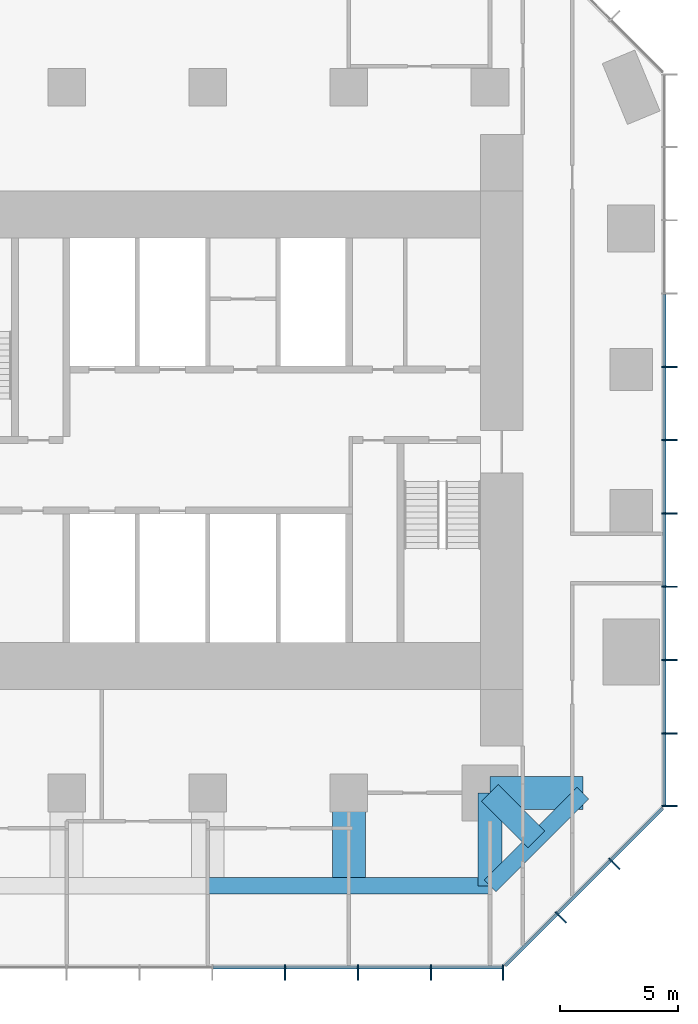
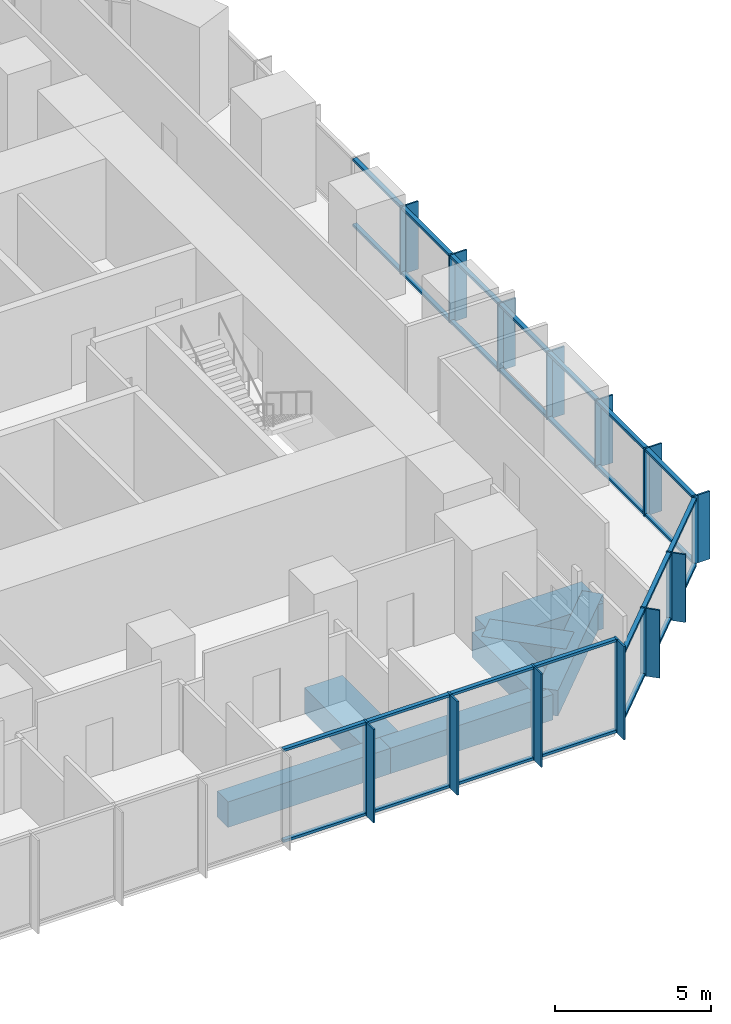
# One storey, part 4 of 13: 54 members, 7 beams, 3 elements without a shape of their own.
"""IFC4 building model written with IfcOpenShell, lengths in metres."""

from ifc_helpers import new_model, si_unit, direction, frame, origin, origin_2d, place, context, subcontext, project, spatial, rectangle, extrude, material, layer, layer_set, material_profile, profile_set, type_object, element, aggregate, save


model = new_model("IFC4")

# Units and contexts
model_context = context("Model", 3, precision=1e-05, world=origin(), true_north=direction((0.0, 1.0)))
body_context = subcontext(model_context, "Body", "Model", "MODEL_VIEW")
ifc_project = project(units=[si_unit("LENGTHUNIT", "METRE"), si_unit("AREAUNIT", "SQUARE_METRE"), si_unit("VOLUMEUNIT", "CUBIC_METRE"), si_unit("PLANEANGLEUNIT", "RADIAN"), si_unit("MASSUNIT", "GRAM", prefix="KILO")], contexts=[model_context])

# Site, building, storey
site_placement = place(None, origin())
site = spatial("IfcSite", under=ifc_project, at=site_placement, CompositionType="ELEMENT")
building_placement = place(site_placement, origin())
building = spatial("IfcBuilding", under=site, at=building_placement, Name="Highveld Stack Headquarters", CompositionType="ELEMENT")
storey_placement = place(building_placement, frame((0.0, 0.0, 136.699951171875)))
storey = spatial("IfcBuildingStorey", under=building, at=storey_placement, Name="L33", CompositionType="ELEMENT", Elevation=136.699951171875)

# Beams
ifc_material_1 = material(Name="Concrete C60/75", Category="concrete")
ifc_material_profile_1 = material_profile(ifc_material_1, rectangle(XDim=1.0, YDim=1.0, at=origin_2d()), Name="RC 1000x1000")
ifc_profile_set_1 = profile_set([ifc_material_profile_1], Name="Concrete C60/75")
beam_type_1 = type_object("IfcBeamType", Name="CANTILEVER RIB RC 1000x1000", PredefinedType="USERDEFINED", material=ifc_profile_set_1)
beam_1_placement = place(storey_placement, frame((18.0, -12.0, -0.75), z_axis=(0.0, -1.0, 0.0), x_axis=(1.0, 0.0, 0.0)))
element("IfcBeam", 1, at=beam_1_placement, inside=storey, type_object=beam_type_1, Name="Cantilever rib 9/C L33", ObjectType="CANTILEVER RIB", PredefinedType="USERDEFINED", context=body_context, shape_type="SweptSolid", body=[
    extrude(rectangle(XDim=1.0, YDim=1.0, at=origin_2d()), origin(), (0.0, 0.0, 1.0), 3.949951171875),
])
beam_2_placement = place(storey_placement, frame((18.0, -12.0, -0.75), z_axis=(0.707106781187, -0.707106781187, 0.0), x_axis=(0.707106781187, 0.707106781187, 0.0)))
element("IfcBeam", 2, at=beam_2_placement, inside=storey, type_object=beam_type_1, Name="Cantilever rib 9/C L33", ObjectType="CANTILEVER RIB", PredefinedType="USERDEFINED", context=body_context, shape_type="SweptSolid", body=[
    extrude(rectangle(XDim=1.0, YDim=1.0, at=origin_2d()), origin(), (0.0, 0.0, 1.0), 2.793212890625),
])
ifc_material_2 = material(Name="Concrete C60/75", Category="concrete")
ifc_material_profile_2 = material_profile(ifc_material_2, rectangle(XDim=1.39990234375, YDim=1.0, at=origin_2d()), Name="RC 1400x1000")
ifc_profile_set_2 = profile_set([ifc_material_profile_2], Name="Concrete C60/75")
beam_type_2 = type_object("IfcBeamType", Name="CANTILEVER RIB RC 1400x1000", PredefinedType="USERDEFINED", material=ifc_profile_set_2)
for number, where, z_axis, x_axis, name in (
    (3, (12.0, -12.0, -0.75), (0.0, -1.0, 0.0), (1.0, 0.0, 0.0), "Cantilever rib 8/C L33"),
    (4, (18.0, -12.0, -0.75), (1.0, 0.0, 0.0), (0.0, 1.0, 0.0), "Cantilever rib 9/C L33"),
):
    element("IfcBeam", number, at=place(storey_placement, frame(where, z_axis=z_axis, x_axis=x_axis)), inside=storey, type_object=beam_type_2, Name=name, ObjectType="CANTILEVER RIB", PredefinedType="USERDEFINED", context=body_context, shape_type="SweptSolid", body=[
        extrude(rectangle(XDim=1.39990234375, YDim=1.0, at=origin_2d()), origin(), (0.0, 0.0, 1.0), 3.949951171875),
    ])

# Curtain wall, members
ifc_material_3 = material(Name="Aluminium bronze anodised", Category="aluminium")
ifc_layer_1 = layer(ifc_material_3, 0.199951171875)
ifc_layer_set_1 = layer_set([ifc_layer_1], Name="Aluminium bronze anodised")
curtain_wall_type_1 = type_object("IfcCurtainWallType", Name="CW1 TOWER UNITISED CURTAIN WALL", PredefinedType="NOTDEFINED", material=ifc_layer_set_1)
curtain_wall_1_placement = place(storey_placement, origin())
curtain_wall_1 = element("IfcCurtainWall", 5, at=curtain_wall_1_placement, inside=storey, type_object=curtain_wall_type_1, Name="Curtain wall CW1 L33 S", PredefinedType="NOTDEFINED")
ifc_material_4 = material(Name="Aluminium bronze anodised", Category="aluminium")
ifc_material_profile_3 = material_profile(ifc_material_4, rectangle(XDim=0.449951171875, YDim=0.06005859375, at=origin_2d()), Name="FIN 450x60")
ifc_profile_set_3 = profile_set([ifc_material_profile_3], Name="Aluminium bronze anodised")
member_type_1 = type_object("IfcMemberType", Name="CW1 BRONZE FIN 450x60", PredefinedType="USERDEFINED", material=ifc_profile_set_3)
member_1_placement = place(storey_placement, frame((9.2900390625, -19.72509765625, 0.0), z_axis=(0.0, 0.0, 1.0), x_axis=(0.0, 1.0, 0.0)))
member_1 = element("IfcMember", 6, at=member_1_placement, type_object=member_type_1, Name="CW1 fin L33 10", ObjectType="FIN", PredefinedType="USERDEFINED", context=body_context, shape_type="SweptSolid", body=[
    extrude(rectangle(XDim=0.449951171875, YDim=0.06005859375, at=origin_2d()), origin(), (0.0, 0.0, 1.0), 3.650146484375),
])
member_2_placement = place(storey_placement, frame((12.38671875, -19.72509765625, 0.0), z_axis=(0.0, 0.0, 1.0), x_axis=(0.0, 1.0, 0.0)))
member_2 = element("IfcMember", 7, at=member_2_placement, type_object=member_type_1, Name="CW1 fin L33 11", ObjectType="FIN", PredefinedType="USERDEFINED", context=body_context, shape_type="SweptSolid", body=[
    extrude(rectangle(XDim=0.449951171875, YDim=0.06005859375, at=origin_2d()), origin(), (0.0, 0.0, 1.0), 3.650146484375),
])
member_3_placement = place(storey_placement, frame((15.4833984375, -19.72509765625, 0.0), z_axis=(0.0, 0.0, 1.0), x_axis=(0.0, 1.0, 0.0)))
member_3 = element("IfcMember", 8, at=member_3_placement, type_object=member_type_1, Name="CW1 fin L33 12", ObjectType="FIN", PredefinedType="USERDEFINED", context=body_context, shape_type="SweptSolid", body=[
    extrude(rectangle(XDim=0.449951171875, YDim=0.06005859375, at=origin_2d()), origin(), (0.0, 0.0, 1.0), 3.650146484375),
])
member_4_placement = place(storey_placement, frame((18.54736328125, -19.72509765625, 0.0), z_axis=(0.0, 0.0, 1.0), x_axis=(0.0, 1.0, 0.0)))
member_4 = element("IfcMember", 9, at=member_4_placement, type_object=member_type_1, Name="CW1 fin L33 13", ObjectType="FIN", PredefinedType="USERDEFINED", context=body_context, shape_type="SweptSolid", body=[
    extrude(rectangle(XDim=0.449951171875, YDim=0.06005859375, at=origin_2d()), origin(), (0.0, 0.0, 1.0), 3.650146484375),
])

curtain_wall_2_placement = place(storey_placement, origin())
curtain_wall_2 = element("IfcCurtainWall", 10, at=curtain_wall_2_placement, inside=storey, type_object=curtain_wall_type_1, Name="Curtain wall CW1 L33 E", PredefinedType="NOTDEFINED")
member_5_placement = place(storey_placement, frame((25.72509765625, -12.54736328125, 0.0), z_axis=(0.0, 0.0, 1.0), x_axis=(-1.0, 0.0, 0.0)))
member_5 = element("IfcMember", 11, at=member_5_placement, type_object=member_type_1, Name="CW1 fin L33 1", ObjectType="FIN", PredefinedType="USERDEFINED", context=body_context, shape_type="SweptSolid", body=[
    extrude(rectangle(XDim=0.449951171875, YDim=0.06005859375, at=origin_2d()), origin(), (0.0, 0.0, 1.0), 2.650146484375),
])
member_6_placement = place(storey_placement, frame((25.72509765625, -9.4638671875, 0.0), z_axis=(0.0, 0.0, 1.0), x_axis=(-1.0, 0.0, 0.0)))
member_6 = element("IfcMember", 12, at=member_6_placement, type_object=member_type_1, Name="CW1 fin L33 2", ObjectType="FIN", PredefinedType="USERDEFINED", context=body_context, shape_type="SweptSolid", body=[
    extrude(rectangle(XDim=0.449951171875, YDim=0.06005859375, at=origin_2d()), origin(), (0.0, 0.0, 1.0), 2.650146484375),
])
member_7_placement = place(storey_placement, frame((25.72509765625, -6.347900390625, 0.0), z_axis=(0.0, 0.0, 1.0), x_axis=(-1.0, 0.0, 0.0)))
member_7 = element("IfcMember", 13, at=member_7_placement, type_object=member_type_1, Name="CW1 fin L33 3", ObjectType="FIN", PredefinedType="USERDEFINED", context=body_context, shape_type="SweptSolid", body=[
    extrude(rectangle(XDim=0.449951171875, YDim=0.06005859375, at=origin_2d()), origin(), (0.0, 0.0, 1.0), 2.650146484375),
])
member_8_placement = place(storey_placement, frame((25.72509765625, -3.23193359375, 0.0), z_axis=(0.0, 0.0, 1.0), x_axis=(-1.0, 0.0, 0.0)))
member_8 = element("IfcMember", 14, at=member_8_placement, type_object=member_type_1, Name="CW1 fin L33 4", ObjectType="FIN", PredefinedType="USERDEFINED", context=body_context, shape_type="SweptSolid", body=[
    extrude(rectangle(XDim=0.449951171875, YDim=0.06005859375, at=origin_2d()), origin(), (0.0, 0.0, 1.0), 2.650146484375),
])
member_9_placement = place(storey_placement, frame((25.72509765625, -0.115966796875, 0.0), z_axis=(0.0, 0.0, 1.0), x_axis=(-1.0, 0.0, 0.0)))
member_9 = element("IfcMember", 15, at=member_9_placement, type_object=member_type_1, Name="CW1 fin L33 5", ObjectType="FIN", PredefinedType="USERDEFINED", context=body_context, shape_type="SweptSolid", body=[
    extrude(rectangle(XDim=0.449951171875, YDim=0.06005859375, at=origin_2d()), origin(), (0.0, 0.0, 1.0), 2.650146484375),
])
member_10_placement = place(storey_placement, frame((25.72509765625, 3.0, 0.0), z_axis=(0.0, 0.0, 1.0), x_axis=(-1.0, 0.0, 0.0)))
member_10 = element("IfcMember", 16, at=member_10_placement, type_object=member_type_1, Name="CW1 fin L33 6", ObjectType="FIN", PredefinedType="USERDEFINED", context=body_context, shape_type="SweptSolid", body=[
    extrude(rectangle(XDim=0.449951171875, YDim=0.06005859375, at=origin_2d()), origin(), (0.0, 0.0, 1.0), 2.650146484375),
])
member_11_placement = place(storey_placement, frame((25.72509765625, 6.115966796875, 0.0), z_axis=(0.0, 0.0, 1.0), x_axis=(-1.0, 0.0, 0.0)))
member_11 = element("IfcMember", 17, at=member_11_placement, type_object=member_type_1, Name="CW1 fin L33 7", ObjectType="FIN", PredefinedType="USERDEFINED", context=body_context, shape_type="SweptSolid", body=[
    extrude(rectangle(XDim=0.449951171875, YDim=0.06005859375, at=origin_2d()), origin(), (0.0, 0.0, 1.0), 2.650146484375),
])

# Member
ifc_material_5 = material(Name="Aluminium bronze anodised", Category="aluminium")
ifc_material_profile_4 = material_profile(ifc_material_5, rectangle(XDim=0.199951171875, YDim=0.06494140625, at=origin_2d()), Name="CW1 MULLION 65x200")
ifc_profile_set_4 = profile_set([ifc_material_profile_4], Name="Aluminium bronze anodised")
member_type_2 = type_object("IfcMemberType", Name="CW1 MULLION 65x200", PredefinedType="MULLION", material=ifc_profile_set_4)
member_12_placement = place(storey_placement, frame((9.2900390625, -19.39990234375, 0.0), z_axis=(0.0, 0.0, 1.0), x_axis=(0.0, 1.0, 0.0)))
member_12 = element("IfcMember", 18, at=member_12_placement, type_object=member_type_2, Name="CW1 mullion L33 10", PredefinedType="MULLION", context=body_context, shape_type="SweptSolid", body=[
    extrude(rectangle(XDim=0.199951171875, YDim=0.06494140625, at=origin_2d()), origin(), (0.0, 0.0, 1.0), 3.650146484375),
])

member_13_placement = place(storey_placement, frame((12.38671875, -19.39990234375, 0.0), z_axis=(0.0, 0.0, 1.0), x_axis=(0.0, 1.0, 0.0)))
member_13 = element("IfcMember", 19, at=member_13_placement, type_object=member_type_2, Name="CW1 mullion L33 11", PredefinedType="MULLION", context=body_context, shape_type="SweptSolid", body=[
    extrude(rectangle(XDim=0.199951171875, YDim=0.06494140625, at=origin_2d()), origin(), (0.0, 0.0, 1.0), 3.650146484375),
])

member_14_placement = place(storey_placement, frame((15.4833984375, -19.39990234375, 0.0), z_axis=(0.0, 0.0, 1.0), x_axis=(0.0, 1.0, 0.0)))
member_14 = element("IfcMember", 20, at=member_14_placement, type_object=member_type_2, Name="CW1 mullion L33 12", PredefinedType="MULLION", context=body_context, shape_type="SweptSolid", body=[
    extrude(rectangle(XDim=0.199951171875, YDim=0.06494140625, at=origin_2d()), origin(), (0.0, 0.0, 1.0), 3.650146484375),
])

member_15_placement = place(storey_placement, frame((18.54736328125, -19.39990234375, 0.0), z_axis=(0.0, 0.0, 1.0), x_axis=(0.0, 1.0, 0.0)))
member_15 = element("IfcMember", 21, at=member_15_placement, type_object=member_type_2, Name="CW1 mullion L33 13", PredefinedType="MULLION", context=body_context, shape_type="SweptSolid", body=[
    extrude(rectangle(XDim=0.199951171875, YDim=0.06494140625, at=origin_2d()), origin(), (0.0, 0.0, 1.0), 3.650146484375),
])

member_16_placement = place(storey_placement, frame((25.39990234375, -12.54736328125, 0.0), z_axis=(0.0, 0.0, 1.0), x_axis=(-1.0, 0.0, 0.0)))
member_16 = element("IfcMember", 22, at=member_16_placement, type_object=member_type_2, Name="CW1 mullion L33 1", PredefinedType="MULLION", context=body_context, shape_type="SweptSolid", body=[
    extrude(rectangle(XDim=0.199951171875, YDim=0.06494140625, at=origin_2d()), origin(), (0.0, 0.0, 1.0), 2.650146484375),
])

member_17_placement = place(storey_placement, frame((25.39990234375, -9.4638671875, 0.0), z_axis=(0.0, 0.0, 1.0), x_axis=(-1.0, 0.0, 0.0)))
member_17 = element("IfcMember", 23, at=member_17_placement, type_object=member_type_2, Name="CW1 mullion L33 2", PredefinedType="MULLION", context=body_context, shape_type="SweptSolid", body=[
    extrude(rectangle(XDim=0.199951171875, YDim=0.06494140625, at=origin_2d()), origin(), (0.0, 0.0, 1.0), 2.650146484375),
])

member_18_placement = place(storey_placement, frame((25.39990234375, -6.347900390625, 0.0), z_axis=(0.0, 0.0, 1.0), x_axis=(-1.0, 0.0, 0.0)))
member_18 = element("IfcMember", 24, at=member_18_placement, type_object=member_type_2, Name="CW1 mullion L33 3", PredefinedType="MULLION", context=body_context, shape_type="SweptSolid", body=[
    extrude(rectangle(XDim=0.199951171875, YDim=0.06494140625, at=origin_2d()), origin(), (0.0, 0.0, 1.0), 2.650146484375),
])

member_19_placement = place(storey_placement, frame((25.39990234375, -3.23193359375, 0.0), z_axis=(0.0, 0.0, 1.0), x_axis=(-1.0, 0.0, 0.0)))
member_19 = element("IfcMember", 25, at=member_19_placement, type_object=member_type_2, Name="CW1 mullion L33 4", PredefinedType="MULLION", context=body_context, shape_type="SweptSolid", body=[
    extrude(rectangle(XDim=0.199951171875, YDim=0.06494140625, at=origin_2d()), origin(), (0.0, 0.0, 1.0), 2.650146484375),
])

member_20_placement = place(storey_placement, frame((25.39990234375, -0.115966796875, 0.0), z_axis=(0.0, 0.0, 1.0), x_axis=(-1.0, 0.0, 0.0)))
member_20 = element("IfcMember", 26, at=member_20_placement, type_object=member_type_2, Name="CW1 mullion L33 5", PredefinedType="MULLION", context=body_context, shape_type="SweptSolid", body=[
    extrude(rectangle(XDim=0.199951171875, YDim=0.06494140625, at=origin_2d()), origin(), (0.0, 0.0, 1.0), 2.650146484375),
])

member_21_placement = place(storey_placement, frame((25.39990234375, 3.0, 0.0), z_axis=(0.0, 0.0, 1.0), x_axis=(-1.0, 0.0, 0.0)))
member_21 = element("IfcMember", 27, at=member_21_placement, type_object=member_type_2, Name="CW1 mullion L33 6", PredefinedType="MULLION", context=body_context, shape_type="SweptSolid", body=[
    extrude(rectangle(XDim=0.199951171875, YDim=0.06494140625, at=origin_2d()), origin(), (0.0, 0.0, 1.0), 2.650146484375),
])

member_22_placement = place(storey_placement, frame((25.39990234375, 6.115966796875, 0.0), z_axis=(0.0, 0.0, 1.0), x_axis=(-1.0, 0.0, 0.0)))
member_22 = element("IfcMember", 28, at=member_22_placement, type_object=member_type_2, Name="CW1 mullion L33 7", PredefinedType="MULLION", context=body_context, shape_type="SweptSolid", body=[
    extrude(rectangle(XDim=0.199951171875, YDim=0.06494140625, at=origin_2d()), origin(), (0.0, 0.0, 1.0), 2.650146484375),
])

ifc_material_6 = material(Name="Aluminium bronze anodised", Category="aluminium")
ifc_material_profile_5 = material_profile(ifc_material_6, rectangle(XDim=0.14990234375, YDim=0.10009765625, at=origin_2d()), Name="CW1 TRANSOM 150x100")
ifc_profile_set_5 = profile_set([ifc_material_profile_5], Name="Aluminium bronze anodised")
member_type_3 = type_object("IfcMemberType", Name="CW1 STACK TRANSOM 150x100", PredefinedType="USERDEFINED", material=ifc_profile_set_5)
member_23_placement = place(storey_placement, frame((6.225830078125, -19.39990234375, 0.050048828125), z_axis=(1.0, 0.0, 0.0), x_axis=(0.0, 1.0, 0.0)))
member_23 = element("IfcMember", 29, at=member_23_placement, type_object=member_type_3, Name="CW1 transom L33 9.1", ObjectType="TRANSOM", PredefinedType="USERDEFINED", context=body_context, shape_type="SweptSolid", body=[
    extrude(rectangle(XDim=0.14990234375, YDim=0.10009765625, at=origin_2d()), origin(), (0.0, 0.0, 1.0), 3.03173828125),
])

member_24_placement = place(storey_placement, frame((6.225830078125, -19.39990234375, 3.60009765625), z_axis=(1.0, 0.0, 0.0), x_axis=(0.0, 1.0, 0.0)))
member_24 = element("IfcMember", 30, at=member_24_placement, type_object=member_type_3, Name="CW1 transom L33 9.2", ObjectType="TRANSOM", PredefinedType="USERDEFINED", context=body_context, shape_type="SweptSolid", body=[
    extrude(rectangle(XDim=0.14990234375, YDim=0.10009765625, at=origin_2d()), origin(), (0.0, 0.0, 1.0), 3.03173828125),
])

member_25_placement = place(storey_placement, frame((9.322509765625, -19.39990234375, 0.050048828125), z_axis=(1.0, 0.0, 0.0), x_axis=(0.0, 1.0, 0.0)))
member_25 = element("IfcMember", 31, at=member_25_placement, type_object=member_type_3, Name="CW1 transom L33 10.1", ObjectType="TRANSOM", PredefinedType="USERDEFINED", context=body_context, shape_type="SweptSolid", body=[
    extrude(rectangle(XDim=0.14990234375, YDim=0.10009765625, at=origin_2d()), origin(), (0.0, 0.0, 1.0), 3.031494140625),
])

member_26_placement = place(storey_placement, frame((9.322509765625, -19.39990234375, 3.60009765625), z_axis=(1.0, 0.0, 0.0), x_axis=(0.0, 1.0, 0.0)))
member_26 = element("IfcMember", 32, at=member_26_placement, type_object=member_type_3, Name="CW1 transom L33 10.2", ObjectType="TRANSOM", PredefinedType="USERDEFINED", context=body_context, shape_type="SweptSolid", body=[
    extrude(rectangle(XDim=0.14990234375, YDim=0.10009765625, at=origin_2d()), origin(), (0.0, 0.0, 1.0), 3.031494140625),
])

member_27_placement = place(storey_placement, frame((12.419189453125, -19.39990234375, 0.050048828125), z_axis=(1.0, 0.0, 0.0), x_axis=(0.0, 1.0, 0.0)))
member_27 = element("IfcMember", 33, at=member_27_placement, type_object=member_type_3, Name="CW1 transom L33 11.1", ObjectType="TRANSOM", PredefinedType="USERDEFINED", context=body_context, shape_type="SweptSolid", body=[
    extrude(rectangle(XDim=0.14990234375, YDim=0.10009765625, at=origin_2d()), origin(), (0.0, 0.0, 1.0), 3.031494140625),
])

member_28_placement = place(storey_placement, frame((12.419189453125, -19.39990234375, 3.60009765625), z_axis=(1.0, 0.0, 0.0), x_axis=(0.0, 1.0, 0.0)))
member_28 = element("IfcMember", 34, at=member_28_placement, type_object=member_type_3, Name="CW1 transom L33 11.2", ObjectType="TRANSOM", PredefinedType="USERDEFINED", context=body_context, shape_type="SweptSolid", body=[
    extrude(rectangle(XDim=0.14990234375, YDim=0.10009765625, at=origin_2d()), origin(), (0.0, 0.0, 1.0), 3.031494140625),
])

member_29_placement = place(storey_placement, frame((15.515869140625, -19.39990234375, 0.050048828125), z_axis=(1.0, 0.0, 0.0), x_axis=(0.0, 1.0, 0.0)))
member_29 = element("IfcMember", 35, at=member_29_placement, type_object=member_type_3, Name="CW1 transom L33 12.1", ObjectType="TRANSOM", PredefinedType="USERDEFINED", context=body_context, shape_type="SweptSolid", body=[
    extrude(rectangle(XDim=0.14990234375, YDim=0.10009765625, at=origin_2d()), origin(), (0.0, 0.0, 1.0), 2.9990234375),
])

member_30_placement = place(storey_placement, frame((15.515869140625, -19.39990234375, 3.60009765625), z_axis=(1.0, 0.0, 0.0), x_axis=(0.0, 1.0, 0.0)))
member_30 = element("IfcMember", 36, at=member_30_placement, type_object=member_type_3, Name="CW1 transom L33 12.2", ObjectType="TRANSOM", PredefinedType="USERDEFINED", context=body_context, shape_type="SweptSolid", body=[
    extrude(rectangle(XDim=0.14990234375, YDim=0.10009765625, at=origin_2d()), origin(), (0.0, 0.0, 1.0), 2.9990234375),
])

aggregate(curtain_wall_1, [member_12, member_1, member_13, member_2, member_14, member_3, member_15, member_4, member_23, member_24, member_25, member_26, member_27, member_28, member_29, member_30])

member_31_placement = place(storey_placement, frame((25.39990234375, -12.514892578125, 0.050048828125), z_axis=(0.0, 1.0, 0.0), x_axis=(-1.0, 0.0, 0.0)))
member_31 = element("IfcMember", 37, at=member_31_placement, type_object=member_type_3, Name="CW1 transom L33 1.1", ObjectType="TRANSOM", PredefinedType="USERDEFINED", context=body_context, shape_type="SweptSolid", body=[
    extrude(rectangle(XDim=0.14990234375, YDim=0.10009765625, at=origin_2d()), origin(), (0.0, 0.0, 1.0), 3.0185546875),
])

member_32_placement = place(storey_placement, frame((25.39990234375, -12.514892578125, 2.60009765625), z_axis=(0.0, 1.0, 0.0), x_axis=(-1.0, 0.0, 0.0)))
member_32 = element("IfcMember", 38, at=member_32_placement, type_object=member_type_3, Name="CW1 transom L33 1.2", ObjectType="TRANSOM", PredefinedType="USERDEFINED", context=body_context, shape_type="SweptSolid", body=[
    extrude(rectangle(XDim=0.14990234375, YDim=0.10009765625, at=origin_2d()), origin(), (0.0, 0.0, 1.0), 3.0185546875),
])

member_33_placement = place(storey_placement, frame((25.39990234375, -9.431396484375, 0.050048828125), z_axis=(0.0, 1.0, 0.0), x_axis=(-1.0, 0.0, 0.0)))
member_33 = element("IfcMember", 39, at=member_33_placement, type_object=member_type_3, Name="CW1 transom L33 2.1", ObjectType="TRANSOM", PredefinedType="USERDEFINED", context=body_context, shape_type="SweptSolid", body=[
    extrude(rectangle(XDim=0.14990234375, YDim=0.10009765625, at=origin_2d()), origin(), (0.0, 0.0, 1.0), 3.051025390625),
])

member_34_placement = place(storey_placement, frame((25.39990234375, -9.431396484375, 2.60009765625), z_axis=(0.0, 1.0, 0.0), x_axis=(-1.0, 0.0, 0.0)))
member_34 = element("IfcMember", 40, at=member_34_placement, type_object=member_type_3, Name="CW1 transom L33 2.2", ObjectType="TRANSOM", PredefinedType="USERDEFINED", context=body_context, shape_type="SweptSolid", body=[
    extrude(rectangle(XDim=0.14990234375, YDim=0.10009765625, at=origin_2d()), origin(), (0.0, 0.0, 1.0), 3.051025390625),
])

member_35_placement = place(storey_placement, frame((25.39990234375, -6.3154296875, 0.050048828125), z_axis=(0.0, 1.0, 0.0), x_axis=(-1.0, 0.0, 0.0)))
member_35 = element("IfcMember", 41, at=member_35_placement, type_object=member_type_3, Name="CW1 transom L33 3.1", ObjectType="TRANSOM", PredefinedType="USERDEFINED", context=body_context, shape_type="SweptSolid", body=[
    extrude(rectangle(XDim=0.14990234375, YDim=0.10009765625, at=origin_2d()), origin(), (0.0, 0.0, 1.0), 3.051025390625),
])

member_36_placement = place(storey_placement, frame((25.39990234375, -6.3154296875, 2.60009765625), z_axis=(0.0, 1.0, 0.0), x_axis=(-1.0, 0.0, 0.0)))
member_36 = element("IfcMember", 42, at=member_36_placement, type_object=member_type_3, Name="CW1 transom L33 3.2", ObjectType="TRANSOM", PredefinedType="USERDEFINED", context=body_context, shape_type="SweptSolid", body=[
    extrude(rectangle(XDim=0.14990234375, YDim=0.10009765625, at=origin_2d()), origin(), (0.0, 0.0, 1.0), 3.051025390625),
])

member_37_placement = place(storey_placement, frame((25.39990234375, -3.199462890625, 0.050048828125), z_axis=(0.0, 1.0, 0.0), x_axis=(-1.0, 0.0, 0.0)))
member_37 = element("IfcMember", 43, at=member_37_placement, type_object=member_type_3, Name="CW1 transom L33 4.1", ObjectType="TRANSOM", PredefinedType="USERDEFINED", context=body_context, shape_type="SweptSolid", body=[
    extrude(rectangle(XDim=0.14990234375, YDim=0.10009765625, at=origin_2d()), origin(), (0.0, 0.0, 1.0), 3.051025390625),
])

member_38_placement = place(storey_placement, frame((25.39990234375, -3.199462890625, 2.60009765625), z_axis=(0.0, 1.0, 0.0), x_axis=(-1.0, 0.0, 0.0)))
member_38 = element("IfcMember", 44, at=member_38_placement, type_object=member_type_3, Name="CW1 transom L33 4.2", ObjectType="TRANSOM", PredefinedType="USERDEFINED", context=body_context, shape_type="SweptSolid", body=[
    extrude(rectangle(XDim=0.14990234375, YDim=0.10009765625, at=origin_2d()), origin(), (0.0, 0.0, 1.0), 3.051025390625),
])

member_39_placement = place(storey_placement, frame((25.39990234375, -0.08349609375, 0.050048828125), z_axis=(0.0, 1.0, 0.0), x_axis=(-1.0, 0.0, 0.0)))
member_39 = element("IfcMember", 45, at=member_39_placement, type_object=member_type_3, Name="CW1 transom L33 5.1", ObjectType="TRANSOM", PredefinedType="USERDEFINED", context=body_context, shape_type="SweptSolid", body=[
    extrude(rectangle(XDim=0.14990234375, YDim=0.10009765625, at=origin_2d()), origin(), (0.0, 0.0, 1.0), 3.051025390625),
])

member_40_placement = place(storey_placement, frame((25.39990234375, -0.08349609375, 2.60009765625), z_axis=(0.0, 1.0, 0.0), x_axis=(-1.0, 0.0, 0.0)))
member_40 = element("IfcMember", 46, at=member_40_placement, type_object=member_type_3, Name="CW1 transom L33 5.2", ObjectType="TRANSOM", PredefinedType="USERDEFINED", context=body_context, shape_type="SweptSolid", body=[
    extrude(rectangle(XDim=0.14990234375, YDim=0.10009765625, at=origin_2d()), origin(), (0.0, 0.0, 1.0), 3.051025390625),
])

member_41_placement = place(storey_placement, frame((25.39990234375, 3.032470703125, 0.050048828125), z_axis=(0.0, 1.0, 0.0), x_axis=(-1.0, 0.0, 0.0)))
member_41 = element("IfcMember", 47, at=member_41_placement, type_object=member_type_3, Name="CW1 transom L33 6.1", ObjectType="TRANSOM", PredefinedType="USERDEFINED", context=body_context, shape_type="SweptSolid", body=[
    extrude(rectangle(XDim=0.14990234375, YDim=0.10009765625, at=origin_2d()), origin(), (0.0, 0.0, 1.0), 3.051025390625),
])

member_42_placement = place(storey_placement, frame((25.39990234375, 3.032470703125, 2.60009765625), z_axis=(0.0, 1.0, 0.0), x_axis=(-1.0, 0.0, 0.0)))
member_42 = element("IfcMember", 48, at=member_42_placement, type_object=member_type_3, Name="CW1 transom L33 6.2", ObjectType="TRANSOM", PredefinedType="USERDEFINED", context=body_context, shape_type="SweptSolid", body=[
    extrude(rectangle(XDim=0.14990234375, YDim=0.10009765625, at=origin_2d()), origin(), (0.0, 0.0, 1.0), 3.051025390625),
])

member_43_placement = place(storey_placement, frame((25.39990234375, 6.1484375, 0.050048828125), z_axis=(0.0, 1.0, 0.0), x_axis=(-1.0, 0.0, 0.0)))
member_43 = element("IfcMember", 49, at=member_43_placement, type_object=member_type_3, Name="CW1 transom L33 7.1", ObjectType="TRANSOM", PredefinedType="USERDEFINED", context=body_context, shape_type="SweptSolid", body=[
    extrude(rectangle(XDim=0.14990234375, YDim=0.10009765625, at=origin_2d()), origin(), (0.0, 0.0, 1.0), 3.051025390625),
])

member_44_placement = place(storey_placement, frame((25.39990234375, 6.1484375, 2.60009765625), z_axis=(0.0, 1.0, 0.0), x_axis=(-1.0, 0.0, 0.0)))
member_44 = element("IfcMember", 50, at=member_44_placement, type_object=member_type_3, Name="CW1 transom L33 7.2", ObjectType="TRANSOM", PredefinedType="USERDEFINED", context=body_context, shape_type="SweptSolid", body=[
    extrude(rectangle(XDim=0.14990234375, YDim=0.10009765625, at=origin_2d()), origin(), (0.0, 0.0, 1.0), 3.051025390625),
])

aggregate(curtain_wall_2, [member_16, member_5, member_17, member_6, member_18, member_7, member_19, member_8, member_20, member_9, member_21, member_10, member_22, member_11, member_31, member_32, member_33, member_34, member_35, member_36, member_37, member_38, member_39, member_40, member_41, member_42, member_43, member_44])

# Curtain wall, members
ifc_material_7 = material(Name="Aluminium bronze anodised", Category="aluminium")
ifc_layer_2 = layer(ifc_material_7, 0.199951171875)
ifc_layer_set_2 = layer_set([ifc_layer_2], Name="Aluminium bronze anodised")
curtain_wall_type_2 = type_object("IfcCurtainWallType", Name="CW2 TOWER CHAMFER UNITISED CURTAIN WALL", PredefinedType="NOTDEFINED", material=ifc_layer_set_2)
curtain_wall_3_placement = place(storey_placement, origin())
curtain_wall_3 = element("IfcCurtainWall", 51, at=curtain_wall_3_placement, inside=storey, type_object=curtain_wall_type_2, Name="Curtain wall CW2 L33 SE", PredefinedType="NOTDEFINED")
ifc_material_8 = material(Name="Aluminium bronze anodised", Category="aluminium")
ifc_material_profile_6 = material_profile(ifc_material_8, rectangle(XDim=0.449951171875, YDim=0.06005859375, at=origin_2d()), Name="FIN 450x60")
ifc_profile_set_6 = profile_set([ifc_material_profile_6], Name="Aluminium bronze anodised")
member_type_4 = type_object("IfcMemberType", Name="CW2 BRONZE FIN 450x60", PredefinedType="USERDEFINED", material=ifc_profile_set_6)
member_45_placement = place(storey_placement, frame((21.0830078125, -17.3564453125, 0.0), z_axis=(0.0, 0.0, 1.0), x_axis=(-0.707106781187, 0.707106781187, 0.0)))
member_45 = element("IfcMember", 52, at=member_45_placement, type_object=member_type_4, Name="CW2 fin L33 1", ObjectType="FIN", PredefinedType="USERDEFINED", context=body_context, shape_type="SweptSolid", body=[
    extrude(rectangle(XDim=0.449951171875, YDim=0.06005859375, at=origin_2d()), origin(), (0.0, 0.0, 1.0), 2.650146484375),
])
member_46_placement = place(storey_placement, frame((23.3564453125, -15.0830078125, 0.0), z_axis=(0.0, 0.0, 1.0), x_axis=(-0.707106781187, 0.707106781187, 0.0)))
member_46 = element("IfcMember", 53, at=member_46_placement, type_object=member_type_4, Name="CW2 fin L33 2", ObjectType="FIN", PredefinedType="USERDEFINED", context=body_context, shape_type="SweptSolid", body=[
    extrude(rectangle(XDim=0.449951171875, YDim=0.06005859375, at=origin_2d()), origin(), (0.0, 0.0, 1.0), 2.650146484375),
])
ifc_material_9 = material(Name="Aluminium bronze anodised", Category="aluminium")
ifc_material_profile_7 = material_profile(ifc_material_9, rectangle(XDim=0.199951171875, YDim=0.06494140625, at=origin_2d()), Name="CW2 MULLION 65x200")
ifc_profile_set_7 = profile_set([ifc_material_profile_7], Name="Aluminium bronze anodised")
member_type_5 = type_object("IfcMemberType", Name="CW2 MULLION 65x200", PredefinedType="MULLION", material=ifc_profile_set_7)
member_47_placement = place(storey_placement, frame((20.853271484375, -17.126708984375, 0.0), z_axis=(0.0, 0.0, 1.0), x_axis=(-0.707106781187, 0.707106781187, 0.0)))
member_47 = element("IfcMember", 54, at=member_47_placement, type_object=member_type_5, Name="CW2 mullion L33 1", PredefinedType="MULLION", context=body_context, shape_type="SweptSolid", body=[
    extrude(rectangle(XDim=0.199951171875, YDim=0.06494140625, at=origin_2d()), origin(), (0.0, 0.0, 1.0), 2.650146484375),
])
member_48_placement = place(storey_placement, frame((23.126708984375, -14.853271484375, 0.0), z_axis=(0.0, 0.0, 1.0), x_axis=(-0.707106781187, 0.707106781187, 0.0)))
member_48 = element("IfcMember", 55, at=member_48_placement, type_object=member_type_5, Name="CW2 mullion L33 2", PredefinedType="MULLION", context=body_context, shape_type="SweptSolid", body=[
    extrude(rectangle(XDim=0.199951171875, YDim=0.06494140625, at=origin_2d()), origin(), (0.0, 0.0, 1.0), 2.650146484375),
])
ifc_material_10 = material(Name="Aluminium bronze anodised", Category="aluminium")
ifc_material_profile_8 = material_profile(ifc_material_10, rectangle(XDim=0.14990234375, YDim=0.10009765625, at=origin_2d()), Name="CW2 TRANSOM 150x100")
ifc_profile_set_8 = profile_set([ifc_material_profile_8], Name="Aluminium bronze anodised")
member_type_6 = type_object("IfcMemberType", Name="CW2 STACK TRANSOM 150x100", PredefinedType="USERDEFINED", material=ifc_profile_set_8)
member_49_placement = place(storey_placement, frame((18.650634765625, -19.329345703125, 0.050048828125), z_axis=(0.707106781187, 0.707106781187, 0.0), x_axis=(-0.707106781187, 0.707106781187, 0.0)))
member_49 = element("IfcMember", 56, at=member_49_placement, type_object=member_type_6, Name="CW2 transom L33 1.1", ObjectType="TRANSOM", PredefinedType="USERDEFINED", context=body_context, shape_type="SweptSolid", body=[
    extrude(rectangle(XDim=0.14990234375, YDim=0.10009765625, at=origin_2d()), origin(), (0.0, 0.0, 1.0), 3.08251953125),
])
member_50_placement = place(storey_placement, frame((18.650634765625, -19.329345703125, 2.60009765625), z_axis=(0.707106781187, 0.707106781187, 0.0), x_axis=(-0.707106781187, 0.707106781187, 0.0)))
member_50 = element("IfcMember", 57, at=member_50_placement, type_object=member_type_6, Name="CW2 transom L33 1.2", ObjectType="TRANSOM", PredefinedType="USERDEFINED", context=body_context, shape_type="SweptSolid", body=[
    extrude(rectangle(XDim=0.14990234375, YDim=0.10009765625, at=origin_2d()), origin(), (0.0, 0.0, 1.0), 3.08251953125),
])
member_51_placement = place(storey_placement, frame((20.876220703125, -17.103759765625, 0.050048828125), z_axis=(0.707106781187, 0.707106781187, 0.0), x_axis=(-0.707106781187, 0.707106781187, 0.0)))
member_51 = element("IfcMember", 58, at=member_51_placement, type_object=member_type_6, Name="CW2 transom L33 2.1", ObjectType="TRANSOM", PredefinedType="USERDEFINED", context=body_context, shape_type="SweptSolid", body=[
    extrude(rectangle(XDim=0.14990234375, YDim=0.10009765625, at=origin_2d()), origin(), (0.0, 0.0, 1.0), 3.150146484375),
])
member_52_placement = place(storey_placement, frame((20.876220703125, -17.103759765625, 2.60009765625), z_axis=(0.707106781187, 0.707106781187, 0.0), x_axis=(-0.707106781187, 0.707106781187, 0.0)))
member_52 = element("IfcMember", 59, at=member_52_placement, type_object=member_type_6, Name="CW2 transom L33 2.2", ObjectType="TRANSOM", PredefinedType="USERDEFINED", context=body_context, shape_type="SweptSolid", body=[
    extrude(rectangle(XDim=0.14990234375, YDim=0.10009765625, at=origin_2d()), origin(), (0.0, 0.0, 1.0), 3.150146484375),
])
member_53_placement = place(storey_placement, frame((23.149658203125, -14.830322265625, 0.050048828125), z_axis=(0.707106781187, 0.707106781187, 0.0), x_axis=(-0.707106781187, 0.707106781187, 0.0)))
member_53 = element("IfcMember", 60, at=member_53_placement, type_object=member_type_6, Name="CW2 transom L33 3.1", ObjectType="TRANSOM", PredefinedType="USERDEFINED", context=body_context, shape_type="SweptSolid", body=[
    extrude(rectangle(XDim=0.14990234375, YDim=0.10009765625, at=origin_2d()), origin(), (0.0, 0.0, 1.0), 3.08251953125),
])
member_54_placement = place(storey_placement, frame((23.149658203125, -14.830322265625, 2.60009765625), z_axis=(0.707106781187, 0.707106781187, 0.0), x_axis=(-0.707106781187, 0.707106781187, 0.0)))
member_54 = element("IfcMember", 61, at=member_54_placement, type_object=member_type_6, Name="CW2 transom L33 3.2", ObjectType="TRANSOM", PredefinedType="USERDEFINED", context=body_context, shape_type="SweptSolid", body=[
    extrude(rectangle(XDim=0.14990234375, YDim=0.10009765625, at=origin_2d()), origin(), (0.0, 0.0, 1.0), 3.08251953125),
])
aggregate(curtain_wall_3, [member_47, member_45, member_48, member_46, member_49, member_50, member_51, member_52, member_53, member_54])

# Beams
ifc_material_11 = material(Name="Concrete C60/75", Category="concrete")
ifc_material_profile_9 = material_profile(ifc_material_11, rectangle(XDim=0.699951171875, YDim=1.0, at=origin_2d()), Name="RC 700x1000")
ifc_profile_set_9 = profile_set([ifc_material_profile_9], Name="Concrete C60/75")
beam_type_3 = type_object("IfcBeamType", Name="RIB TIP BEAM RC 700x1000", PredefinedType="SPANDREL", material=ifc_profile_set_9)
for number, where, z_axis, x_axis, name in (
    (62, (6.0, -15.949951171875, -0.75), (1.0, 0.0, 0.0), (0.0, 1.0, 0.0), "Rib tip beam 7/C to 8/C L33"),
    (63, (12.0, -15.949951171875, -0.75), (1.0, 0.0, 0.0), (0.0, 1.0, 0.0), "Rib tip beam 8/C to 9/C L33"),
):
    element("IfcBeam", number, at=place(storey_placement, frame(where, z_axis=z_axis, x_axis=x_axis)), inside=storey, type_object=beam_type_3, Name=name, PredefinedType="SPANDREL", context=body_context, shape_type="SweptSolid", body=[
        extrude(rectangle(XDim=0.699951171875, YDim=1.0, at=origin_2d()), origin(), (0.0, 0.0, 1.0), 6.0),
    ])
beam_3_placement = place(storey_placement, frame((21.949951171875, -12.0, -0.75), z_axis=(-0.707106781187, -0.707106781187, 0.0), x_axis=(0.707106781187, -0.707106781187, 0.0)))
element("IfcBeam", 64, at=beam_3_placement, inside=storey, type_object=beam_type_3, Name="Rib tip beam 9/C corner L33", PredefinedType="SPANDREL", context=body_context, shape_type="SweptSolid", body=[
    extrude(rectangle(XDim=0.699951171875, YDim=1.0, at=origin_2d()), origin(), (0.0, 0.0, 1.0), 5.586181640625),
])

save(model, "model.ifc")
